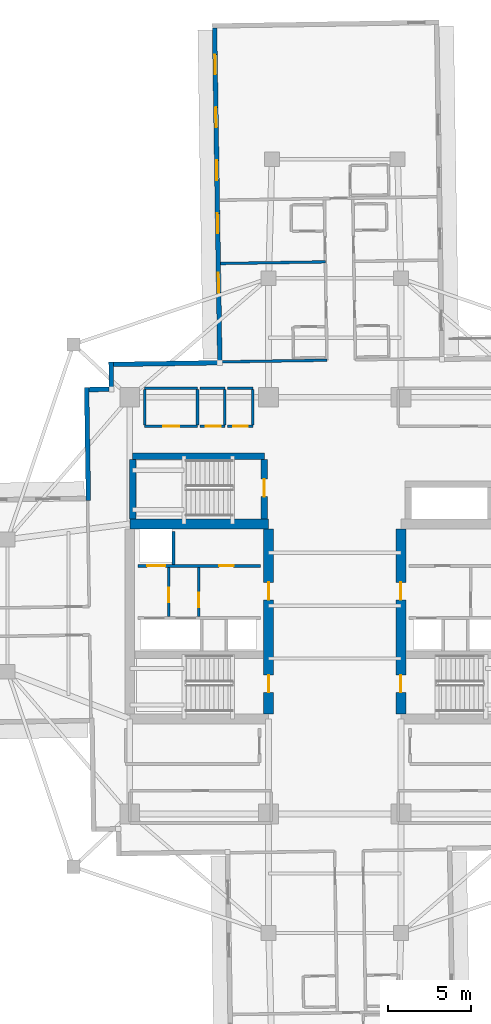
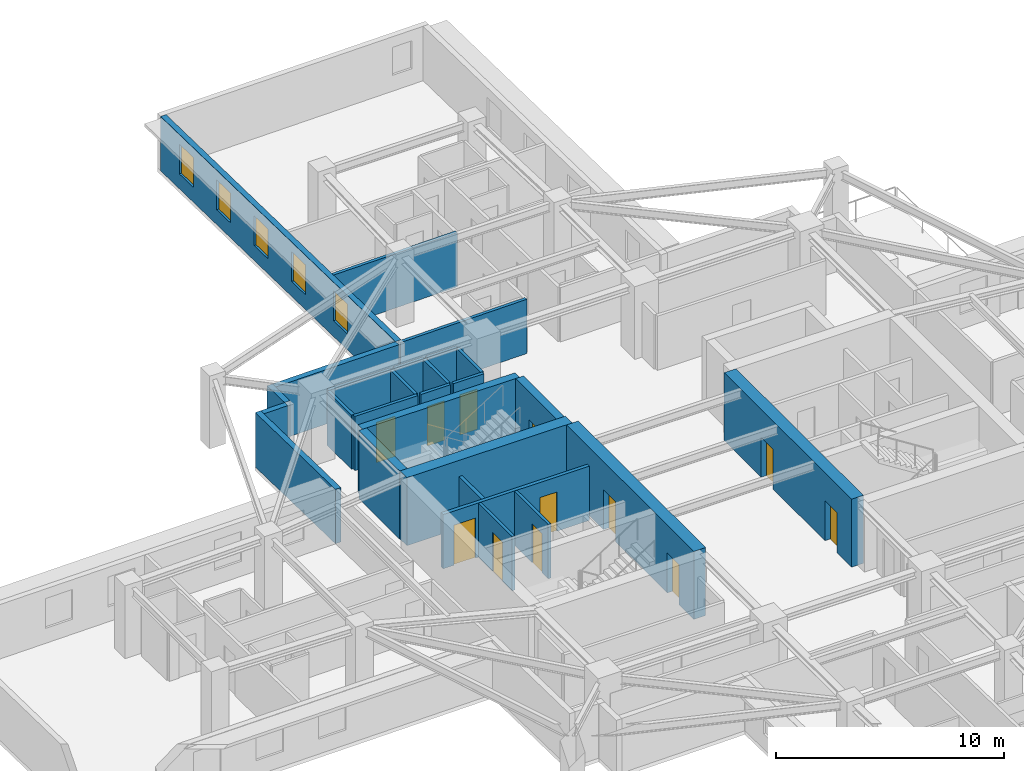
# One storey, part 5 of 13: 27 walls, 12 doors, 5 windows, 17 openings.
"""IFC4 building model written with IfcOpenShell, lengths in metres."""

from ifc_helpers import new_model, si_unit, direction, frame, frame_2d, origin, place, context, subcontext, project, spatial, rectangle, extrude, material, layer, layer_set, type_object, element, fill, save


model = new_model("IFC4")

# Units and contexts
model_context = context("Model", 3, precision=1e-05, world=origin(), true_north=direction((0.0, 1.0)))
body_context = subcontext(model_context, "Body", "Model", "MODEL_VIEW")
ifc_project = project(units=[si_unit("LENGTHUNIT", "METRE"), si_unit("AREAUNIT", "SQUARE_METRE"), si_unit("VOLUMEUNIT", "CUBIC_METRE"), si_unit("PLANEANGLEUNIT", "RADIAN"), si_unit("MASSUNIT", "GRAM", prefix="KILO")], contexts=[model_context])

# Site, building, storey
site_placement = place(None, origin())
site = spatial("IfcSite", under=ifc_project, at=site_placement, CompositionType="ELEMENT")
building_placement = place(site_placement, origin())
building = spatial("IfcBuilding", under=site, at=building_placement, Name="Qingluan Cross Belvedere", CompositionType="ELEMENT")
storey_placement = place(building_placement, frame((0.0, 0.0, 187.800048828125)))
storey = spatial("IfcBuildingStorey", under=building, at=storey_placement, Name="L47", CompositionType="ELEMENT", Elevation=187.800048828125)

# Walls
ifc_material_1 = material(Name="Concrete C50", Category="concrete")
ifc_layer_1 = layer(ifc_material_1, 0.449951171875, Name="CoreShearWall_450")
ifc_layer_set_1 = layer_set([ifc_layer_1], Name="Concrete C50")
wall_type_1 = type_object("IfcWallType", Name="CoreShearWall_450", PredefinedType="SHEAR", material=ifc_layer_set_1)
wall_1_placement = place(storey_placement, frame((-12.219970703125, 9.0400390625, 0.0), z_axis=(0.0, 0.0, 1.0), x_axis=(1.0, 0.0, 0.0)))
element("IfcWall", 1, at=wall_1_placement, inside=storey, type_object=wall_type_1, Name="Stair ST3 structural wall N L47", PredefinedType="SHEAR", context=body_context, shape_type="SweptSolid", body=[
    extrude(rectangle(XDim=7.9599609375, YDim=0.39990234375, at=frame_2d((3.97998046875, 0.0))), origin(), (0.0, 0.0, 1.0), 3.64990234375),
])
wall_2_placement = place(storey_placement, frame((-12.219970703125, 5.2548828125, 0.0), z_axis=(0.0, 0.0, 1.0), x_axis=(0.0, 1.0, 0.0)))
element("IfcWall", 2, at=wall_2_placement, inside=storey, type_object=wall_type_1, Name="Stair ST3 structural wall W L47", PredefinedType="SHEAR", context=body_context, shape_type="SweptSolid", body=[
    extrude(rectangle(XDim=3.580078125, YDim=0.39990234375, at=frame_2d((1.7900390625, 0.0))), origin(), (0.0, 0.0, 1.0), 3.64990234375),
])

# Wall, opening, door
wall_3_placement = place(storey_placement, frame((-4.260009765625, 5.2548828125, 0.0), z_axis=(0.0, 0.0, 1.0), x_axis=(0.0, 1.0, 0.0)))
wall_3 = element("IfcWall", 3, at=wall_3_placement, inside=storey, type_object=wall_type_1, Name="Stair ST3 structural wall E L47", PredefinedType="SHEAR", context=body_context, shape_type="SweptSolid", body=[
    extrude(rectangle(XDim=3.580078125, YDim=0.39990234375, at=frame_2d((1.7900390625, 0.0))), origin(), (0.0, 0.0, 1.0), 3.64990234375),
])
opening_1_placement = place(wall_3_placement, frame((1.344970703125, 0.0, 0.0)))
opening_1 = element("IfcOpeningElement", 4, at=opening_1_placement, cuts=wall_3, Name="Opening FD-B11", PredefinedType="OPENING", context=body_context, shape_type="SweptSolid", body=[
    extrude(rectangle(XDim=1.050048828125, YDim=2.14990234375, at=frame_2d((0.52490234375, 1.074951171875))), frame((0.0, 0.2099609375, 0.0), z_axis=(0.0, -1.0, 0.0), x_axis=(1.0, 0.0, 0.0)), (0.0, 0.0, 1.0), 0.419921875),
])
ifc_material_2 = material(Name="Steel Class B smoke-seal fire door", Category="steel")
door_type_1 = type_object("IfcDoorType", Name="StairLobbyFireDoor_FDB", OperationType="NOTDEFINED", PredefinedType="DOOR", material=ifc_material_2)
door_1_placement = place(opening_1_placement, origin())
door_1 = element("IfcDoor", 5, at=door_1_placement, inside=storey, type_object=door_type_1, Name="Smoke-proof stair ST3 fire door L47", OperationType="SINGLE_SWING_LEFT", OverallHeight=2.14990234375, OverallWidth=1.050048828125, PredefinedType="DOOR", context=body_context, shape_type="SweptSolid", body=[
    extrude(rectangle(XDim=1.050048828125, YDim=2.14990234375, at=frame_2d((0.52490234375, 1.074951171875))), frame((0.0, 0.02490234375, 0.0), z_axis=(0.0, -1.0, 0.0), x_axis=(1.0, 0.0, 0.0)), (0.0, 0.0, 1.0), 0.050048828125),
])
fill(opening_1, door_1)

# Wall
ifc_material_3 = material(Name="Concrete C60", Category="concrete")
ifc_layer_2 = layer(ifc_material_3, 0.60009765625, Name="CoreShearWall_600")
ifc_layer_set_2 = layer_set([ifc_layer_2], Name="Concrete C60")
wall_type_2 = type_object("IfcWallType", Name="CoreShearWall_600", PredefinedType="SHEAR", material=ifc_layer_set_2)
wall_4_placement = place(storey_placement, frame((-12.39990234375, 4.949951171875, 0.0), z_axis=(0.0, 0.0, 1.0), x_axis=(1.0, 0.0, 0.0)))
element("IfcWall", 6, at=wall_4_placement, inside=storey, type_object=wall_type_2, Name="Split core W shear wall L47-N", PredefinedType="SHEAR", context=body_context, shape_type="SweptSolid", body=[
    extrude(rectangle(XDim=8.39990234375, YDim=0.60009765625, at=frame_2d((4.199951171875, 0.0))), origin(), (0.0, 0.0, 1.0), 3.64990234375),
])

# Wall, openings, doors
wall_5_placement = place(storey_placement, frame((-4.0, -6.544921875, 0.0), z_axis=(0.0, 0.0, 1.0), x_axis=(0.0, 1.0, 0.0)))
wall_5 = element("IfcWall", 7, at=wall_5_placement, inside=storey, type_object=wall_type_2, Name="Split core W shear wall L47-E", PredefinedType="SHEAR", context=body_context, shape_type="SweptSolid", body=[
    extrude(rectangle(XDim=11.18994140625, YDim=0.60009765625, at=frame_2d((5.594970703125, 0.0))), origin(), (0.0, 0.0, 1.0), 3.64990234375),
])
opening_2_placement = place(wall_5_placement, frame((1.294921875, 0.0, 0.0)))
opening_2 = element("IfcOpeningElement", 8, at=opening_2_placement, cuts=wall_5, Name="Opening FD-B11", PredefinedType="OPENING", context=body_context, shape_type="SweptSolid", body=[
    extrude(rectangle(XDim=1.050048828125, YDim=2.14990234375, at=frame_2d((0.52490234375, 1.074951171875))), frame((0.0, 0.31005859375, 0.0), z_axis=(0.0, -1.0, 0.0), x_axis=(1.0, 0.0, 0.0)), (0.0, 0.0, 1.0), 0.6201171875),
])
opening_3_placement = place(wall_5_placement, frame((6.89501953125, 0.0, 0.0)))
opening_3 = element("IfcOpeningElement", 9, at=opening_3_placement, cuts=wall_5, Name="Opening FD-B11", PredefinedType="OPENING", context=body_context, shape_type="SweptSolid", body=[
    extrude(rectangle(XDim=1.050048828125, YDim=2.14990234375, at=frame_2d((0.52490234375, 1.074951171875))), frame((0.0, 0.31005859375, 0.0), z_axis=(0.0, -1.0, 0.0), x_axis=(1.0, 0.0, 0.0)), (0.0, 0.0, 1.0), 0.6201171875),
])
door_2_placement = place(opening_2_placement, origin())
door_2 = element("IfcDoor", 10, at=door_2_placement, inside=storey, type_object=door_type_1, Name="Smoke-proof stair ST1 fire door L47", OperationType="SINGLE_SWING_LEFT", OverallHeight=2.14990234375, OverallWidth=1.050048828125, PredefinedType="DOOR", context=body_context, shape_type="SweptSolid", body=[
    extrude(rectangle(XDim=1.050048828125, YDim=2.14990234375, at=frame_2d((0.52490234375, 1.074951171875))), frame((0.0, 0.02490234375, 0.0), z_axis=(0.0, -1.0, 0.0), x_axis=(1.0, 0.0, 0.0)), (0.0, 0.0, 1.0), 0.050048828125),
])
fill(opening_2, door_2)
door_3_placement = place(opening_3_placement, origin())
door_3 = element("IfcDoor", 11, at=door_3_placement, inside=storey, type_object=door_type_1, Name="Firefighting lobby West fire door L47", OperationType="SINGLE_SWING_LEFT", OverallHeight=2.14990234375, OverallWidth=1.050048828125, PredefinedType="DOOR", context=body_context, shape_type="SweptSolid", body=[
    extrude(rectangle(XDim=1.050048828125, YDim=2.14990234375, at=frame_2d((0.52490234375, 1.074951171875))), frame((0.0, 0.02490234375, 0.0), z_axis=(0.0, -1.0, 0.0), x_axis=(1.0, 0.0, 0.0)), (0.0, 0.0, 1.0), 0.050048828125),
])
fill(opening_3, door_3)

wall_6_placement = place(storey_placement, frame((4.0, -6.544921875, 0.0), z_axis=(0.0, 0.0, 1.0), x_axis=(0.0, 1.0, 0.0)))
wall_6 = element("IfcWall", 12, at=wall_6_placement, inside=storey, type_object=wall_type_2, Name="Split core E shear wall L47-W", PredefinedType="SHEAR", context=body_context, shape_type="SweptSolid", body=[
    extrude(rectangle(XDim=11.18994140625, YDim=0.60009765625, at=frame_2d((5.594970703125, 0.0))), origin(), (0.0, 0.0, 1.0), 3.64990234375),
])
opening_4_placement = place(wall_6_placement, frame((1.294921875, 0.0, 0.0)))
opening_4 = element("IfcOpeningElement", 13, at=opening_4_placement, cuts=wall_6, Name="Opening FD-B11", PredefinedType="OPENING", context=body_context, shape_type="SweptSolid", body=[
    extrude(rectangle(XDim=1.050048828125, YDim=2.14990234375, at=frame_2d((0.52490234375, 1.074951171875))), frame((0.0, 0.31005859375, 0.0), z_axis=(0.0, -1.0, 0.0), x_axis=(1.0, 0.0, 0.0)), (0.0, 0.0, 1.0), 0.6201171875),
])
opening_5_placement = place(wall_6_placement, frame((6.89501953125, 0.0, 0.0)))
opening_5 = element("IfcOpeningElement", 14, at=opening_5_placement, cuts=wall_6, Name="Opening FD-B11", PredefinedType="OPENING", context=body_context, shape_type="SweptSolid", body=[
    extrude(rectangle(XDim=1.050048828125, YDim=2.14990234375, at=frame_2d((0.52490234375, 1.074951171875))), frame((0.0, 0.31005859375, 0.0), z_axis=(0.0, -1.0, 0.0), x_axis=(1.0, 0.0, 0.0)), (0.0, 0.0, 1.0), 0.6201171875),
])
door_4_placement = place(opening_4_placement, origin())
door_4 = element("IfcDoor", 15, at=door_4_placement, inside=storey, type_object=door_type_1, Name="Smoke-proof stair ST2 fire door L47", OperationType="SINGLE_SWING_RIGHT", OverallHeight=2.14990234375, OverallWidth=1.050048828125, PredefinedType="DOOR", context=body_context, shape_type="SweptSolid", body=[
    extrude(rectangle(XDim=1.050048828125, YDim=2.14990234375, at=frame_2d((0.52490234375, 1.074951171875))), frame((0.0, 0.02490234375, 0.0), z_axis=(0.0, -1.0, 0.0), x_axis=(1.0, 0.0, 0.0)), (0.0, 0.0, 1.0), 0.050048828125),
])
fill(opening_4, door_4)
door_5_placement = place(opening_5_placement, origin())
door_5 = element("IfcDoor", 16, at=door_5_placement, inside=storey, type_object=door_type_1, Name="Firefighting lobby East fire door L47", OperationType="SINGLE_SWING_RIGHT", OverallHeight=2.14990234375, OverallWidth=1.050048828125, PredefinedType="DOOR", context=body_context, shape_type="SweptSolid", body=[
    extrude(rectangle(XDim=1.050048828125, YDim=2.14990234375, at=frame_2d((0.52490234375, 1.074951171875))), frame((0.0, 0.02490234375, 0.0), z_axis=(0.0, -1.0, 0.0), x_axis=(1.0, 0.0, 0.0)), (0.0, 0.0, 1.0), 0.050048828125),
])
fill(opening_5, door_5)

# Wall, opening, door
ifc_material_4 = material(Name="Gypsum plasterboard on steel stud acoustic partition", Category="steel")
ifc_layer_3 = layer(ifc_material_4, 0.159912109375, Name="CorridorPartition_160")
ifc_layer_set_3 = layer_set([ifc_layer_3], Name="Gypsum plasterboard on steel stud acoustic partition")
wall_type_3 = type_object("IfcWallType", Name="CorridorPartition_160", PredefinedType="PARTITIONING", material=ifc_layer_set_3)
wall_7_placement = place(storey_placement, frame((-10.050048828125, -0.652099609375, 0.0), z_axis=(0.0, 0.0, 1.0), x_axis=(0.0, 1.0, 0.0)))
wall_7 = element("IfcWall", 17, at=wall_7_placement, inside=storey, type_object=wall_type_3, Name="Partition L47:wv", PredefinedType="PARTITIONING", context=body_context, shape_type="SweptSolid", body=[
    extrude(rectangle(XDim=2.962158203125, YDim=0.139892578125, at=frame_2d((1.48095703125, 0.0))), origin(), (0.0, 0.0, 1.0), 2.909912109375),
])
opening_6_placement = place(wall_7_placement, frame((0.85009765625, 0.0, 0.0)))
opening_6 = element("IfcOpeningElement", 18, at=opening_6_placement, cuts=wall_7, Name="Opening FD-B10", PredefinedType="OPENING", context=body_context, shape_type="SweptSolid", body=[
    extrude(rectangle(XDim=0.8798828125, YDim=2.10009765625, at=frame_2d((0.43994140625, 1.050048828125))), frame((0.0, 0.079833984375, 0.0), z_axis=(0.0, -1.0, 0.0), x_axis=(1.0, 0.0, 0.0)), (0.0, 0.0, 1.0), 0.159912109375),
])
ifc_material_5 = material(Name="Steel Class B service fire door", Category="steel")
door_type_2 = type_object("IfcDoorType", Name="RiserServiceFireDoor_FDB", OperationType="NOTDEFINED", PredefinedType="DOOR", material=ifc_material_5)
door_6_placement = place(opening_6_placement, origin())
door_6 = element("IfcDoor", 19, at=door_6_placement, inside=storey, type_object=door_type_2, Name="Service closet inner door L47", OperationType="SINGLE_SWING_RIGHT", OverallHeight=2.10009765625, OverallWidth=0.8798828125, PredefinedType="DOOR", context=body_context, shape_type="SweptSolid", body=[
    extrude(rectangle(XDim=0.8798828125, YDim=2.10009765625, at=frame_2d((0.43994140625, 1.050048828125))), frame((0.0, 0.02490234375, 0.0), z_axis=(0.0, -1.0, 0.0), x_axis=(1.0, 0.0, 0.0)), (0.0, 0.0, 1.0), 0.050048828125),
])
fill(opening_6, door_6)

wall_8_placement = place(storey_placement, frame((-11.5, 10.85009765625, 0.0), z_axis=(0.0, 0.0, 1.0), x_axis=(1.0, 0.0, 0.0)))
wall_8 = element("IfcWall", 20, at=wall_8_placement, inside=storey, type_object=wall_type_3, Name="Partition L47:q_nw_occ:S", PredefinedType="PARTITIONING", context=body_context, shape_type="SweptSolid", body=[
    extrude(rectangle(XDim=3.199951171875, YDim=0.159912109375, at=frame_2d((1.60009765625, 0.0))), origin(), (0.0, 0.0, 1.0), 2.909912109375),
])
opening_7_placement = place(wall_8_placement, frame((1.1201171875, 0.0, 0.0)))
opening_7 = element("IfcOpeningElement", 21, at=opening_7_placement, cuts=wall_8, Name="Opening GD-10", PredefinedType="OPENING", context=body_context, shape_type="SweptSolid", body=[
    extrude(rectangle(XDim=0.9599609375, YDim=2.14990234375, at=frame_2d((0.47998046875, 1.074951171875))), frame((0.0, 0.08984375, 0.0), z_axis=(0.0, -1.0, 0.0), x_axis=(1.0, 0.0, 0.0)), (0.0, 0.0, 1.0), 0.179931640625),
])
ifc_material_6 = material(Name="Timber oak fire-rated acoustic guestroom door", Category="wood")
door_type_3 = type_object("IfcDoorType", Name="GuestEntryDoor_FD60", OperationType="NOTDEFINED", PredefinedType="DOOR", material=ifc_material_6)
door_7_placement = place(opening_7_placement, origin())
door_7 = element("IfcDoor", 22, at=door_7_placement, inside=storey, type_object=door_type_3, Name="Northwest corner reading salon L47 door", OperationType="SINGLE_SWING_RIGHT", OverallHeight=2.14990234375, OverallWidth=0.9599609375, PredefinedType="DOOR", context=body_context, shape_type="SweptSolid", body=[
    extrude(rectangle(XDim=0.9599609375, YDim=2.14990234375, at=frame_2d((0.47998046875, 1.074951171875))), frame((0.0, 0.02490234375, 0.0), z_axis=(0.0, -1.0, 0.0), x_axis=(1.0, 0.0, 0.0)), (0.0, 0.0, 1.0), 0.050048828125),
])
fill(opening_7, door_7)

# Walls
wall_9_placement = place(storey_placement, frame((-11.5, 13.14990234375, 0.0), z_axis=(0.0, 0.0, 1.0), x_axis=(1.0, 0.0, 0.0)))
element("IfcWall", 23, at=wall_9_placement, inside=storey, type_object=wall_type_3, Name="Partition L47:q_nw_occ:N", PredefinedType="PARTITIONING", context=body_context, shape_type="SweptSolid", body=[
    extrude(rectangle(XDim=3.199951171875, YDim=0.159912109375, at=frame_2d((1.60009765625, 0.0))), origin(), (0.0, 0.0, 1.0), 2.909912109375),
])
for number, where, z_axis, x_axis, name in (
    (24, (-11.5, 10.93505859375, 0.0), (0.0, 0.0, 1.0), (0.0, 1.0, 0.0), "Partition L47:q_nw_occ:W"),
    (25, (-8.300048828125, 10.93505859375, 0.0), (0.0, 0.0, 1.0), (0.0, 1.0, 0.0), "Partition L47:q_nw_occ:E"),
):
    element("IfcWall", number, at=place(storey_placement, frame(where, z_axis=z_axis, x_axis=x_axis)), inside=storey, type_object=wall_type_3, Name=name, PredefinedType="PARTITIONING", context=body_context, shape_type="SweptSolid", body=[
        extrude(rectangle(XDim=2.1298828125, YDim=0.159912109375, at=frame_2d((1.06494140625, 0.0))), origin(), (0.0, 0.0, 1.0), 2.909912109375),
    ])

# Wall, opening, door
wall_10_placement = place(storey_placement, frame((-8.139892578125, 10.85009765625, 0.0), z_axis=(0.0, 0.0, 1.0), x_axis=(1.0, 0.0, 0.0)))
wall_10 = element("IfcWall", 26, at=wall_10_placement, inside=storey, type_object=wall_type_3, Name="Partition L47:hk_linen:S", PredefinedType="PARTITIONING", context=body_context, shape_type="SweptSolid", body=[
    extrude(rectangle(XDim=1.489990234375, YDim=0.159912109375, at=frame_2d((0.7451171875, 0.0))), origin(), (0.0, 0.0, 1.0), 2.909912109375),
])
opening_8_placement = place(wall_10_placement, frame((0.35009765625, 0.0, 0.0)))
opening_8 = element("IfcOpeningElement", 27, at=opening_8_placement, cuts=wall_10, Name="Opening FD-B10", PredefinedType="OPENING", context=body_context, shape_type="SweptSolid", body=[
    extrude(rectangle(XDim=0.8798828125, YDim=2.10009765625, at=frame_2d((0.43994140625, 1.050048828125))), frame((0.0, 0.08984375, 0.0), z_axis=(0.0, -1.0, 0.0), x_axis=(1.0, 0.0, 0.0)), (0.0, 0.0, 1.0), 0.179931640625),
])
door_8_placement = place(opening_8_placement, origin())
door_8 = element("IfcDoor", 28, at=door_8_placement, inside=storey, type_object=door_type_2, Name="Housekeeping and linen store L47 door", OperationType="SINGLE_SWING_LEFT", OverallHeight=2.10009765625, OverallWidth=0.8798828125, PredefinedType="DOOR", context=body_context, shape_type="SweptSolid", body=[
    extrude(rectangle(XDim=0.8798828125, YDim=2.10009765625, at=frame_2d((0.43994140625, 1.050048828125))), frame((0.0, 0.02490234375, 0.0), z_axis=(0.0, -1.0, 0.0), x_axis=(1.0, 0.0, 0.0)), (0.0, 0.0, 1.0), 0.050048828125),
])
fill(opening_8, door_8)

# Walls
wall_11_placement = place(storey_placement, frame((-8.139892578125, 13.14990234375, 0.0), z_axis=(0.0, 0.0, 1.0), x_axis=(1.0, 0.0, 0.0)))
element("IfcWall", 29, at=wall_11_placement, inside=storey, type_object=wall_type_3, Name="Partition L47:hk_linen:N", PredefinedType="PARTITIONING", context=body_context, shape_type="SweptSolid", body=[
    extrude(rectangle(XDim=1.489990234375, YDim=0.159912109375, at=frame_2d((0.7451171875, 0.0))), origin(), (0.0, 0.0, 1.0), 2.909912109375),
])
wall_12_placement = place(storey_placement, frame((-6.64990234375, 10.93505859375, 0.0), z_axis=(0.0, 0.0, 1.0), x_axis=(0.0, 1.0, 0.0)))
element("IfcWall", 30, at=wall_12_placement, inside=storey, type_object=wall_type_3, Name="Partition L47:hk_linen:E", PredefinedType="PARTITIONING", context=body_context, shape_type="SweptSolid", body=[
    extrude(rectangle(XDim=2.1298828125, YDim=0.159912109375, at=frame_2d((1.06494140625, 0.0))), origin(), (0.0, 0.0, 1.0), 2.909912109375),
])

# Wall, opening, door
wall_13_placement = place(storey_placement, frame((-6.489990234375, 10.85009765625, 0.0), z_axis=(0.0, 0.0, 1.0), x_axis=(1.0, 0.0, 0.0)))
wall_13 = element("IfcWall", 31, at=wall_13_placement, inside=storey, type_object=wall_type_3, Name="Partition L47:floor_acc_wc:S", PredefinedType="PARTITIONING", context=body_context, shape_type="SweptSolid", body=[
    extrude(rectangle(XDim=1.5400390625, YDim=0.159912109375, at=frame_2d((0.77001953125, 0.0))), origin(), (0.0, 0.0, 1.0), 2.909912109375),
])
opening_9_placement = place(wall_13_placement, frame((0.35009765625, 0.0, 0.0)))
opening_9 = element("IfcOpeningElement", 32, at=opening_9_placement, cuts=wall_13, Name="Opening BD-08", PredefinedType="OPENING", context=body_context, shape_type="SweptSolid", body=[
    extrude(rectangle(XDim=0.8798828125, YDim=2.14990234375, at=frame_2d((0.43994140625, 1.074951171875))), frame((0.0, 0.08984375, 0.0), z_axis=(0.0, -1.0, 0.0), x_axis=(1.0, 0.0, 0.0)), (0.0, 0.0, 1.0), 0.179931640625),
])
ifc_material_7 = material(Name="Moisture-sealed timber accessible WC door", Category="wood")
door_type_4 = type_object("IfcDoorType", Name="AccessibleWCDoor_880", OperationType="NOTDEFINED", PredefinedType="DOOR", material=ifc_material_7)
door_9_placement = place(opening_9_placement, origin())
door_9 = element("IfcDoor", 33, at=door_9_placement, inside=storey, type_object=door_type_4, Name="Accessible guest washroom L47 door", OperationType="SINGLE_SWING_RIGHT", OverallHeight=2.14990234375, OverallWidth=0.8798828125, PredefinedType="DOOR", context=body_context, shape_type="SweptSolid", body=[
    extrude(rectangle(XDim=0.8798828125, YDim=2.14990234375, at=frame_2d((0.43994140625, 1.074951171875))), frame((0.0, 0.02490234375, 0.0), z_axis=(0.0, -1.0, 0.0), x_axis=(1.0, 0.0, 0.0)), (0.0, 0.0, 1.0), 0.050048828125),
])
fill(opening_9, door_9)

# Walls
wall_14_placement = place(storey_placement, frame((-6.489990234375, 13.14990234375, 0.0), z_axis=(0.0, 0.0, 1.0), x_axis=(1.0, 0.0, 0.0)))
element("IfcWall", 34, at=wall_14_placement, inside=storey, type_object=wall_type_3, Name="Partition L47:floor_acc_wc:N", PredefinedType="PARTITIONING", context=body_context, shape_type="SweptSolid", body=[
    extrude(rectangle(XDim=1.5400390625, YDim=0.159912109375, at=frame_2d((0.77001953125, 0.0))), origin(), (0.0, 0.0, 1.0), 2.909912109375),
])
wall_15_placement = place(storey_placement, frame((-4.949951171875, 10.93505859375, 0.0), z_axis=(0.0, 0.0, 1.0), x_axis=(0.0, 1.0, 0.0)))
element("IfcWall", 35, at=wall_15_placement, inside=storey, type_object=wall_type_3, Name="Partition L47:floor_acc_wc:E", PredefinedType="PARTITIONING", context=body_context, shape_type="SweptSolid", body=[
    extrude(rectangle(XDim=2.1298828125, YDim=0.159912109375, at=frame_2d((1.06494140625, 0.0))), origin(), (0.0, 0.0, 1.0), 2.909912109375),
])
wall_16_placement = place(storey_placement, frame((-0.47314453125, 14.844482421875, 0.0), z_axis=(0.0, 0.0, 1.0), x_axis=(-0.999876577995, -0.015710785373, 0.0)))
element("IfcWall", 36, at=wall_16_placement, inside=storey, type_object=wall_type_3, Name="Partition L47:N:s1", PredefinedType="PARTITIONING", context=body_context, shape_type="SweptSolid", body=[
    extrude(rectangle(XDim=6.47998046875, YDim=0.159912109375, at=frame_2d((3.239990234375, 0.0))), origin(), (0.0, 0.0, 1.0), 2.909912109375),
])
wall_17_placement = place(storey_placement, frame((-0.566650390625, 20.793701171875, 0.0), z_axis=(0.0, 0.0, 1.0), x_axis=(-0.999876261685, -0.01573090328, 0.0)))
element("IfcWall", 37, at=wall_17_placement, inside=storey, type_object=wall_type_3, Name="Partition L47:N:d1_0", PredefinedType="PARTITIONING", context=body_context, shape_type="SweptSolid", body=[
    extrude(rectangle(XDim=6.33203125, YDim=0.159912109375, at=frame_2d((3.166015625, 0.0))), origin(), (0.0, 0.0, 1.0), 2.909912109375),
])

# Wall, openings, windows
ifc_material_8 = material(Name="Precast concrete C45", Category="concrete")
ifc_layer_4 = layer(ifc_material_8, 0.280029296875, Name="PrecastFacadeWall_280")
ifc_layer_set_4 = layer_set([ifc_layer_4], Name="Precast concrete C45")
wall_type_4 = type_object("IfcWallType", Name="PrecastFacadeWall_280", PredefinedType="STANDARD", material=ifc_layer_set_4)
wall_18_placement = place(storey_placement, frame((-7.26953125, 34.93017578125, 0.0), z_axis=(0.0, 0.0, 1.0), x_axis=(0.015705059908, -0.999876667941, 0.0)))
wall_18 = element("IfcWall", 38, at=wall_18_placement, inside=storey, type_object=wall_type_4, Name="Facade wall L47-NB", PredefinedType="STANDARD", context=body_context, shape_type="SweptSolid", body=[
    extrude(rectangle(XDim=20.10009765625, YDim=0.280029296875, at=frame_2d((10.050048828125, 0.0))), origin(), (0.0, 0.0, 1.0), 2.919921875),
])
opening_10_placement = place(wall_18_placement, frame((1.60009765625, 0.0, 0.800048828125)))
opening_10 = element("IfcOpeningElement", 39, at=opening_10_placement, cuts=wall_18, Name="Opening W-02", PredefinedType="OPENING", context=body_context, shape_type="SweptSolid", body=[
    extrude(rectangle(XDim=1.199951171875, YDim=1.60009765625, at=frame_2d((0.60009765625, 0.800048828125))), frame((0.0, 0.14990234375, 0.0), z_axis=(0.0, -1.0, 0.0), x_axis=(1.0, 0.0, 0.0)), (0.0, 0.0, 1.0), 0.300048828125),
])
opening_11_placement = place(wall_18_placement, frame((4.800048828125, 0.0, 0.800048828125)))
opening_11 = element("IfcOpeningElement", 40, at=opening_11_placement, cuts=wall_18, Name="Opening W-02", PredefinedType="OPENING", context=body_context, shape_type="SweptSolid", body=[
    extrude(rectangle(XDim=1.199951171875, YDim=1.60009765625, at=frame_2d((0.60009765625, 0.800048828125))), frame((0.0, 0.14990234375, 0.0), z_axis=(0.0, -1.0, 0.0), x_axis=(1.0, 0.0, 0.0)), (0.0, 0.0, 1.0), 0.300048828125),
])
opening_12_placement = place(wall_18_placement, frame((8.0, 0.0, 0.800048828125)))
opening_12 = element("IfcOpeningElement", 41, at=opening_12_placement, cuts=wall_18, Name="Opening W-02", PredefinedType="OPENING", context=body_context, shape_type="SweptSolid", body=[
    extrude(rectangle(XDim=1.199951171875, YDim=1.60009765625, at=frame_2d((0.60009765625, 0.800048828125))), frame((0.0, 0.14990234375, 0.0), z_axis=(0.0, -1.0, 0.0), x_axis=(1.0, 0.0, 0.0)), (0.0, 0.0, 1.0), 0.300048828125),
])
opening_13_placement = place(wall_18_placement, frame((11.199951171875, 0.0, 0.800048828125)))
opening_13 = element("IfcOpeningElement", 42, at=opening_13_placement, cuts=wall_18, Name="Opening W-02", PredefinedType="OPENING", context=body_context, shape_type="SweptSolid", body=[
    extrude(rectangle(XDim=1.199951171875, YDim=1.60009765625, at=frame_2d((0.60009765625, 0.800048828125))), frame((0.0, 0.14990234375, 0.0), z_axis=(0.0, -1.0, 0.0), x_axis=(1.0, 0.0, 0.0)), (0.0, 0.0, 1.0), 0.300048828125),
])
opening_14_placement = place(wall_18_placement, frame((14.799072265625, 0.0, 0.85009765625)))
opening_14 = element("IfcOpeningElement", 43, at=opening_14_placement, cuts=wall_18, Name="Opening W-02", PredefinedType="OPENING", context=body_context, shape_type="SweptSolid", body=[
    extrude(rectangle(XDim=1.199951171875, YDim=1.60009765625, at=frame_2d((0.60009765625, 0.800048828125))), frame((0.0, 0.14990234375, 0.0), z_axis=(0.0, -1.0, 0.0), x_axis=(1.0, 0.0, 0.0)), (0.0, 0.0, 1.0), 0.300048828125),
])
ifc_material_9 = material(Name="Thermally broken triple Low-E glass in aluminium frame", Category="aluminium")
window_type = type_object("IfcWindowType", Name="TriRibbonWin_1200x1600", PartitioningType="SINGLE_PANEL", PredefinedType="WINDOW", material=ifc_material_9)
window_1_placement = place(opening_10_placement, origin())
window_1 = element("IfcWindow", 44, at=window_1_placement, inside=storey, type_object=window_type, Name="Ribbon window L47-NB-1", OverallHeight=1.60009765625, OverallWidth=1.199951171875, PartitioningType="SINGLE_PANEL", PredefinedType="WINDOW", context=body_context, shape_type="SweptSolid", body=[
    extrude(rectangle(XDim=1.199951171875, YDim=1.60009765625, at=frame_2d((0.60009765625, 0.800048828125))), frame((0.0, 0.030029296875, 0.0), z_axis=(0.0, -1.0, 0.0), x_axis=(1.0, 0.0, 0.0)), (0.0, 0.0, 1.0), 0.06005859375),
])
fill(opening_10, window_1)
window_2_placement = place(opening_11_placement, origin())
window_2 = element("IfcWindow", 45, at=window_2_placement, inside=storey, type_object=window_type, Name="Ribbon window L47-NB-2", OverallHeight=1.60009765625, OverallWidth=1.199951171875, PartitioningType="SINGLE_PANEL", PredefinedType="WINDOW", context=body_context, shape_type="SweptSolid", body=[
    extrude(rectangle(XDim=1.199951171875, YDim=1.60009765625, at=frame_2d((0.60009765625, 0.800048828125))), frame((0.0, 0.030029296875, 0.0), z_axis=(0.0, -1.0, 0.0), x_axis=(1.0, 0.0, 0.0)), (0.0, 0.0, 1.0), 0.06005859375),
])
fill(opening_11, window_2)
window_3_placement = place(opening_12_placement, origin())
window_3 = element("IfcWindow", 46, at=window_3_placement, inside=storey, type_object=window_type, Name="Ribbon window L47-NB-3", OverallHeight=1.60009765625, OverallWidth=1.199951171875, PartitioningType="SINGLE_PANEL", PredefinedType="WINDOW", context=body_context, shape_type="SweptSolid", body=[
    extrude(rectangle(XDim=1.199951171875, YDim=1.60009765625, at=frame_2d((0.60009765625, 0.800048828125))), frame((0.0, 0.030029296875, 0.0), z_axis=(0.0, -1.0, 0.0), x_axis=(1.0, 0.0, 0.0)), (0.0, 0.0, 1.0), 0.06005859375),
])
fill(opening_12, window_3)
window_4_placement = place(opening_13_placement, origin())
window_4 = element("IfcWindow", 47, at=window_4_placement, inside=storey, type_object=window_type, Name="Ribbon window L47-NB-4", OverallHeight=1.60009765625, OverallWidth=1.199951171875, PartitioningType="SINGLE_PANEL", PredefinedType="WINDOW", context=body_context, shape_type="SweptSolid", body=[
    extrude(rectangle(XDim=1.199951171875, YDim=1.60009765625, at=frame_2d((0.60009765625, 0.800048828125))), frame((0.0, 0.030029296875, 0.0), z_axis=(0.0, -1.0, 0.0), x_axis=(1.0, 0.0, 0.0)), (0.0, 0.0, 1.0), 0.06005859375),
])
fill(opening_13, window_4)
window_5_placement = place(opening_14_placement, origin())
window_5 = element("IfcWindow", 48, at=window_5_placement, inside=storey, type_object=window_type, Name="Corner hotel suite 4707 daylight window", OverallHeight=1.60009765625, OverallWidth=1.199951171875, PartitioningType="SINGLE_PANEL", PredefinedType="WINDOW", context=body_context, shape_type="SweptSolid", body=[
    extrude(rectangle(XDim=1.199951171875, YDim=1.60009765625, at=frame_2d((0.60009765625, 0.800048828125))), frame((0.0, 0.030029296875, 0.0), z_axis=(0.0, -1.0, 0.0), x_axis=(1.0, 0.0, 0.0)), (0.0, 0.0, 1.0), 0.06005859375),
])
fill(opening_14, window_5)

# Walls
wall_19_placement = place(storey_placement, frame((-14.901611328125, 6.3466796875, 0.0), z_axis=(0.0, 0.0, 1.0), x_axis=(-0.015694809807, 0.999876828887, 0.0)))
element("IfcWall", 49, at=wall_19_placement, inside=storey, type_object=wall_type_4, Name="Corner wall L47-NW1", PredefinedType="STANDARD", context=body_context, shape_type="SweptSolid", body=[
    extrude(rectangle(XDim=6.85986328125, YDim=0.280029296875, at=frame_2d((3.429931640625, 0.0))), origin(), (0.0, 0.0, 1.0), 2.919921875),
])
wall_20_placement = place(storey_placement, frame((-14.8671875, 13.068115234375, 0.0), z_axis=(0.0, 0.0, 1.0), x_axis=(0.999875053502, 0.015807510352, 0.0)))
element("IfcWall", 50, at=wall_20_placement, inside=storey, type_object=wall_type_4, Name="Corner wall L47-NW2", PredefinedType="STANDARD", context=body_context, shape_type="SweptSolid", body=[
    extrude(rectangle(XDim=1.22021484375, YDim=0.280029296875, at=frame_2d((0.610107421875, 0.0))), origin(), (0.0, 0.0, 1.0), 2.919921875),
])
wall_21_placement = place(storey_placement, frame((-13.509521484375, 13.2294921875, 0.0), z_axis=(0.0, 0.0, 1.0), x_axis=(-0.015625635615, 0.999877912303, 0.0)))
element("IfcWall", 51, at=wall_21_placement, inside=storey, type_object=wall_type_4, Name="Corner wall L47-NW3", PredefinedType="STANDARD", context=body_context, shape_type="SweptSolid", body=[
    extrude(rectangle(XDim=1.5, YDim=0.280029296875, at=frame_2d((0.75, 0.0))), origin(), (0.0, 0.0, 1.0), 2.919921875),
])
wall_22_placement = place(storey_placement, frame((-13.390869140625, 14.591552734375, 0.0), z_axis=(0.0, 0.0, 1.0), x_axis=(0.999876833368, 0.015694524359, 0.0)))
element("IfcWall", 52, at=wall_22_placement, inside=storey, type_object=wall_type_4, Name="Corner wall L47-NW4", PredefinedType="STANDARD", context=body_context, shape_type="SweptSolid", body=[
    extrude(rectangle(XDim=6.300048828125, YDim=0.280029296875, at=frame_2d((3.14990234375, 0.0))), origin(), (0.0, 0.0, 1.0), 2.919921875),
])

# Wall, openings, doors
ifc_material_10 = material(Name="Concrete C40", Category="concrete")
ifc_layer_5 = layer(ifc_material_10, 0.219970703125, Name="ShaftEnclosureWall_250")
ifc_layer_set_5 = layer_set([ifc_layer_5], Name="Concrete C40")
wall_type_5 = type_object("IfcWallType", Name="ShaftEnclosureWall_250", PredefinedType="SOLIDWALL", material=ifc_layer_set_5)
wall_23_placement = place(storey_placement, frame((-11.89990234375, 2.409912109375, 0.0), z_axis=(0.0, 0.0, 1.0), x_axis=(1.0, 0.0, 0.0)))
wall_23 = element("IfcWall", 53, at=wall_23_placement, inside=storey, type_object=wall_type_5, Name="Core-W north hoistway wall L47", PredefinedType="SOLIDWALL", context=body_context, shape_type="SweptSolid", body=[
    extrude(rectangle(XDim=7.419921875, YDim=0.179931640625, at=frame_2d((3.7099609375, 0.0))), origin(), (0.0, 0.0, 1.0), 2.909912109375),
])
opening_15_placement = place(wall_23_placement, frame((0.550048828125, 0.0, 0.0)))
opening_15 = element("IfcOpeningElement", 54, at=opening_15_placement, cuts=wall_23, Name="Opening LD-11", PredefinedType="OPENING", context=body_context, shape_type="SweptSolid", body=[
    extrude(rectangle(XDim=1.10009765625, YDim=2.14990234375, at=frame_2d((0.550048828125, 1.074951171875))), frame((0.0, 0.099853515625, 0.0), z_axis=(0.0, -1.0, 0.0), x_axis=(1.0, 0.0, 0.0)), (0.0, 0.0, 1.0), 0.199951171875),
])
opening_16_placement = place(wall_23_placement, frame((4.89990234375, 0.0, 0.0)))
opening_16 = element("IfcOpeningElement", 55, at=opening_16_placement, cuts=wall_23, Name="Opening FD-B10", PredefinedType="OPENING", context=body_context, shape_type="SweptSolid", body=[
    extrude(rectangle(XDim=0.8798828125, YDim=2.10009765625, at=frame_2d((0.43994140625, 1.050048828125))), frame((0.0, 0.099853515625, 0.0), z_axis=(0.0, -1.0, 0.0), x_axis=(1.0, 0.0, 0.0)), (0.0, 0.0, 1.0), 0.199951171875),
])
ifc_material_11 = material(Name="Brushed stainless steel centre-opening lift landing door", Category="steel")
door_type_5 = type_object("IfcDoorType", Name="LiftLandingSlidingDoor_1100", OperationType="DOUBLE_DOOR_SLIDING", PredefinedType="DOOR", material=ifc_material_11)
door_10_placement = place(opening_15_placement, origin())
door_10 = element("IfcDoor", 56, at=door_10_placement, inside=storey, type_object=door_type_5, Name="Lift landing sliding door FL1 L47", OperationType="DOUBLE_DOOR_SLIDING", OverallHeight=2.14990234375, OverallWidth=1.10009765625, PredefinedType="DOOR", context=body_context, shape_type="SweptSolid", body=[
    extrude(rectangle(XDim=1.10009765625, YDim=2.14990234375, at=frame_2d((0.550048828125, 1.074951171875))), frame((0.0, 0.02490234375, 0.0), z_axis=(0.0, -1.0, 0.0), x_axis=(1.0, 0.0, 0.0)), (0.0, 0.0, 1.0), 0.050048828125),
])
fill(opening_15, door_10)
door_11_placement = place(opening_16_placement, origin())
door_11 = element("IfcDoor", 57, at=door_11_placement, inside=storey, type_object=door_type_2, Name="Housekeeping supply room door W L47", OperationType="SINGLE_SWING_RIGHT", OverallHeight=2.10009765625, OverallWidth=0.8798828125, PredefinedType="DOOR", context=body_context, shape_type="SweptSolid", body=[
    extrude(rectangle(XDim=0.8798828125, YDim=2.10009765625, at=frame_2d((0.43994140625, 1.050048828125))), frame((0.0, 0.02490234375, 0.0), z_axis=(0.0, -1.0, 0.0), x_axis=(1.0, 0.0, 0.0)), (0.0, 0.0, 1.0), 0.050048828125),
])
fill(opening_16, door_11)

# Wall
wall_24_placement = place(storey_placement, frame((-9.760009765625, 2.5, 0.0), z_axis=(0.0, 0.0, 1.0), x_axis=(0.0, 1.0, 0.0)))
element("IfcWall", 58, at=wall_24_placement, inside=storey, type_object=wall_type_5, Name="Hoistway enclosure divider FL1E L47", PredefinedType="SOLIDWALL", context=body_context, shape_type="SweptSolid", body=[
    extrude(rectangle(XDim=1.989990234375, YDim=0.179931640625, at=frame_2d((0.9951171875, 0.0))), origin(), (0.0, 0.0, 1.0), 2.909912109375),
])

# Wall, opening, door
wall_25_placement = place(storey_placement, frame((-8.219970703125, -0.64990234375, 0.0), z_axis=(0.0, 0.0, 1.0), x_axis=(0.0, 1.0, 0.0)))
wall_25 = element("IfcWall", 59, at=wall_25_placement, inside=storey, type_object=wall_type_5, Name="Core-W service corridor wall L47", PredefinedType="SOLIDWALL", context=body_context, shape_type="SweptSolid", body=[
    extrude(rectangle(XDim=2.9599609375, YDim=0.139892578125, at=frame_2d((1.47998046875, 0.0))), origin(), (0.0, 0.0, 1.0), 2.909912109375),
])
opening_17_placement = place(wall_25_placement, frame((0.550048828125, 0.0, 0.0)))
opening_17 = element("IfcOpeningElement", 60, at=opening_17_placement, cuts=wall_25, Name="Opening FD-B10", PredefinedType="OPENING", context=body_context, shape_type="SweptSolid", body=[
    extrude(rectangle(XDim=0.8798828125, YDim=2.10009765625, at=frame_2d((0.43994140625, 1.050048828125))), frame((0.0, 0.079833984375, 0.0), z_axis=(0.0, -1.0, 0.0), x_axis=(1.0, 0.0, 0.0)), (0.0, 0.0, 1.0), 0.159912109375),
])
door_12_placement = place(opening_17_placement, origin())
door_12 = element("IfcDoor", 61, at=door_12_placement, inside=storey, type_object=door_type_2, Name="Core-W service room door L47", OperationType="SINGLE_SWING_RIGHT", OverallHeight=2.10009765625, OverallWidth=0.8798828125, PredefinedType="DOOR", context=body_context, shape_type="SweptSolid", body=[
    extrude(rectangle(XDim=0.8798828125, YDim=2.10009765625, at=frame_2d((0.43994140625, 1.050048828125))), frame((0.0, 0.02490234375, 0.0), z_axis=(0.0, -1.0, 0.0), x_axis=(1.0, 0.0, 0.0)), (0.0, 0.0, 1.0), 0.050048828125),
])
fill(opening_17, door_12)

save(model, "model.ifc")
